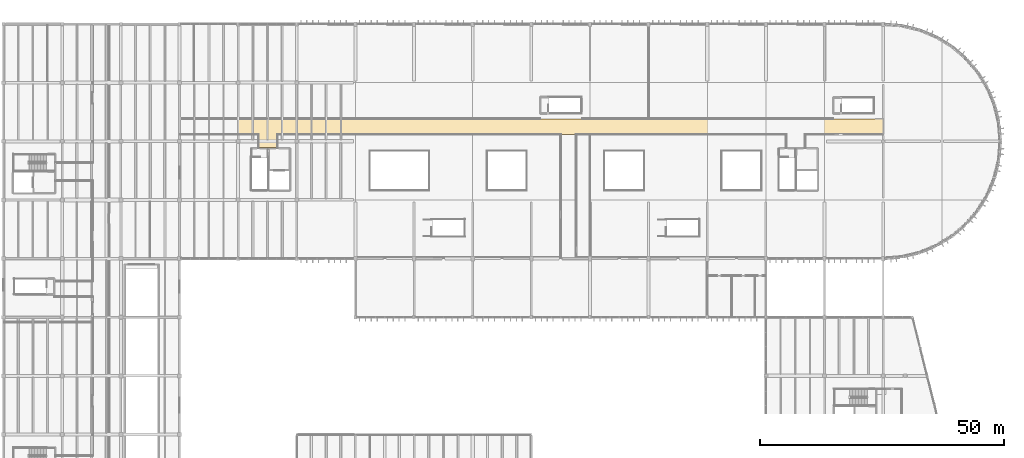
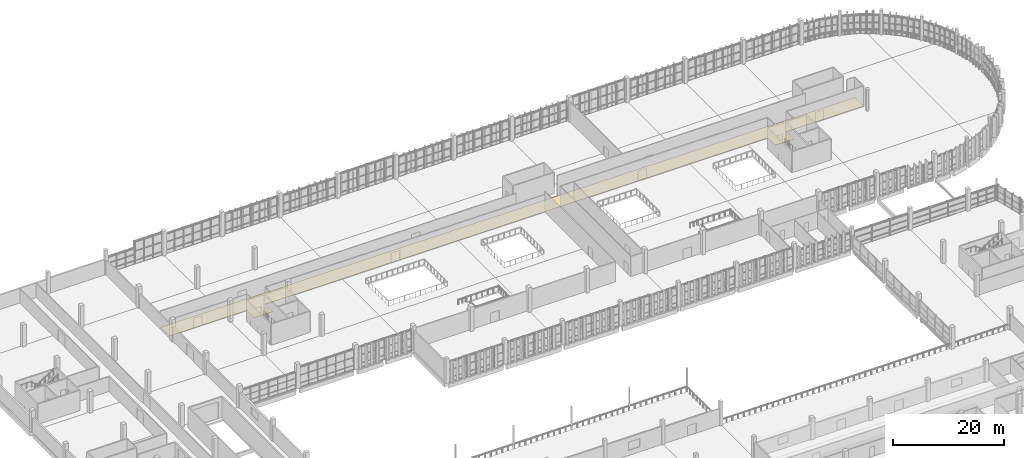
# One storey, part 99 of 112: 1 covering.
"""IFC4 building model written with IfcOpenShell, lengths in metres."""

from ifc_helpers import new_model, si_unit, direction, frame, origin, place, context, subcontext, project, spatial, polyline, outline, extrude, material, layer, layer_set, type_object, element, save


model = new_model("IFC4")

# Units and contexts
model_context = context("Model", 3, precision=1e-05, world=origin(), true_north=direction((0.0, 1.0)))
body_context = subcontext(model_context, "Body", "Model", "MODEL_VIEW")
ifc_project = project(units=[si_unit("LENGTHUNIT", "METRE"), si_unit("AREAUNIT", "SQUARE_METRE"), si_unit("VOLUMEUNIT", "CUBIC_METRE"), si_unit("PLANEANGLEUNIT", "RADIAN"), si_unit("MASSUNIT", "GRAM", prefix="KILO")], contexts=[model_context])

# Site, building, storey
site_placement = place(None, origin())
site = spatial("IfcSite", under=ifc_project, at=site_placement, CompositionType="ELEMENT")
building_placement = place(site_placement, origin())
building = spatial("IfcBuilding", under=site, at=building_placement, Name="Kamomehara Wholesale Market", CompositionType="ELEMENT")
storey_placement = place(building_placement, frame((0.0, 0.0, 6.60009765625)))
storey = spatial("IfcBuildingStorey", under=building, at=storey_placement, Name="L01", CompositionType="ELEMENT", Elevation=6.60009765625)

# Covering
ifc_material = material(Name="Heavy-duty resin market flooring")
ifc_layer = layer(ifc_material, 0.030029296875)
ifc_layer_set = layer_set([ifc_layer], Name="Heavy-duty resin market flooring")
covering_type = type_object("IfcCoveringType", Name="COV-FLR-01", PredefinedType="FLOORING", material=ifc_layer_set)
covering_placement = place(storey_placement, origin())
element("IfcCovering", 1, at=covering_placement, inside=storey, type_object=covering_type, Name="Resin flooring L01-01", PredefinedType="FLOORING", context=body_context, shape_type="SweptSolid", body=[
    extrude(outline(polyline([(179.989990234375, 136.590087890625), (179.989990234375, 133.409912109375), (164.050048828125, 133.409912109375), (164.049072265625, 133.409912109375), (164.048095703125, 133.409912109375), (164.047119140625, 133.409912109375), (164.0458984375, 133.408935546875), (164.044921875, 133.408935546875), (164.0439453125, 133.407958984375), (164.0439453125, 133.407958984375), (164.04296875, 133.406982421875), (164.0419921875, 133.406005859375), (164.0419921875, 133.406005859375), (164.041015625, 133.405029296875), (164.041015625, 133.404052734375), (164.0400390625, 133.403076171875), (164.0400390625, 133.402099609375), (164.0400390625, 133.40087890625), (164.0400390625, 133.39990234375), (164.0400390625, 130.739990234375), (160.159912109375, 130.739990234375), (160.159912109375, 133.39990234375), (160.159912109375, 133.40087890625), (160.159912109375, 133.402099609375), (160.159912109375, 133.403076171875), (160.158935546875, 133.404052734375), (160.158935546875, 133.405029296875), (160.157958984375, 133.406005859375), (160.157958984375, 133.406005859375), (160.156982421875, 133.406982421875), (160.156005859375, 133.407958984375), (160.156005859375, 133.407958984375), (160.155029296875, 133.408935546875), (160.154052734375, 133.408935546875), (160.153076171875, 133.409912109375), (160.152099609375, 133.409912109375), (160.15087890625, 133.409912109375), (160.14990234375, 133.409912109375), (56.050048828125, 133.409912109375), (56.049072265625, 133.409912109375), (56.048095703125, 133.409912109375), (56.047119140625, 133.409912109375), (56.0458984375, 133.408935546875), (56.044921875, 133.408935546875), (56.0439453125, 133.407958984375), (56.0439453125, 133.407958984375), (56.04296875, 133.406982421875), (56.0419921875, 133.406005859375), (56.0419921875, 133.406005859375), (56.041015625, 133.405029296875), (56.041015625, 133.404052734375), (56.0400390625, 133.403076171875), (56.0400390625, 133.402099609375), (56.0400390625, 133.40087890625), (56.0400390625, 133.39990234375), (56.0400390625, 130.739990234375), (52.159912109375, 130.739990234375), (52.159912109375, 133.39990234375), (52.159912109375, 133.40087890625), (52.159912109375, 133.402099609375), (52.159912109375, 133.403076171875), (52.158935546875, 133.404052734375), (52.158935546875, 133.405029296875), (52.157958984375, 133.406005859375), (52.157958984375, 133.406005859375), (52.156982421875, 133.406982421875), (52.156005859375, 133.407958984375), (52.156005859375, 133.407958984375), (52.155029296875, 133.408935546875), (52.154052734375, 133.408935546875), (52.153076171875, 133.409912109375), (52.152099609375, 133.409912109375), (52.15087890625, 133.409912109375), (52.14990234375, 133.409912109375), (36.159912109375, 133.409912109375), (36.159912109375, 136.590087890625), (179.989990234375, 136.590087890625)])), origin(), (0.0, 0.0, 1.0), 0.02978515625),
])

save(model, "model.ifc")
